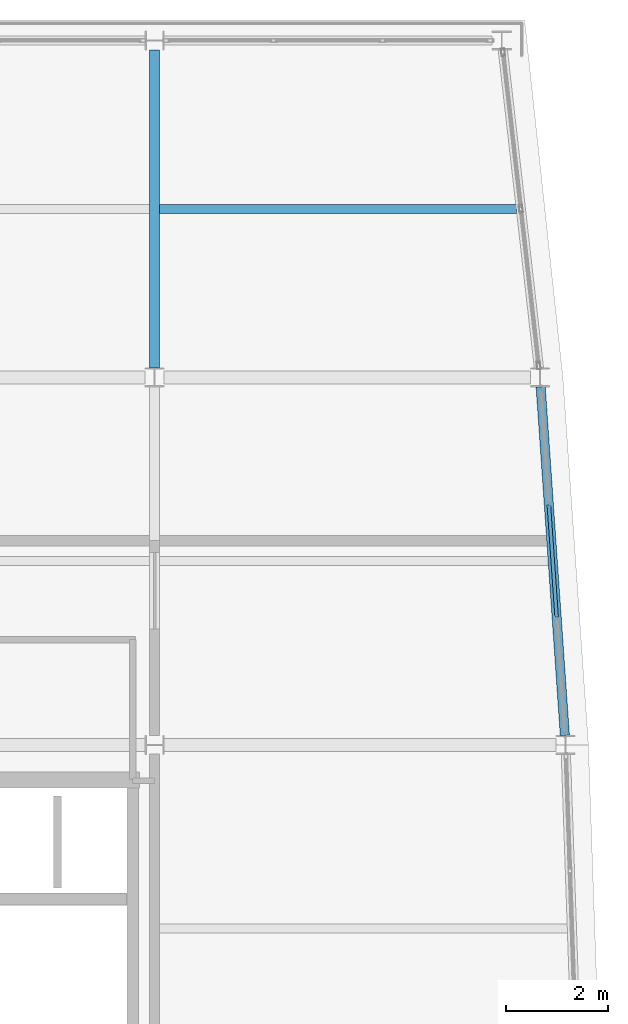
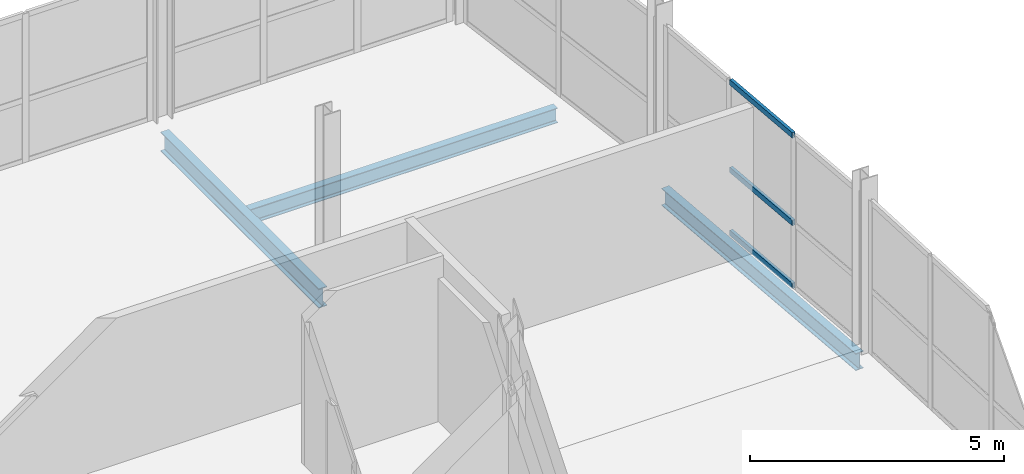
# One storey, part 9 of 20: 3 beams, 3 members, 1 element without a shape of its own.
"""IFC4 building model written with IfcOpenShell, lengths in metres."""

from ifc_helpers import new_model, si_unit, direction, frame, origin, origin_2d, place, context, subcontext, project, spatial, hollow_rectangle, i_section, extrude, material, layer, layer_set, material_profile, profile_set, type_object, element, aggregate, save


model = new_model("IFC4")

# Units and contexts
model_context = context("Model", 3, precision=1e-05, world=origin(), true_north=direction((0.0, 1.0)))
body_context = subcontext(model_context, "Body", "Model", "MODEL_VIEW")
ifc_project = project(units=[si_unit("LENGTHUNIT", "METRE"), si_unit("AREAUNIT", "SQUARE_METRE"), si_unit("VOLUMEUNIT", "CUBIC_METRE"), si_unit("PLANEANGLEUNIT", "RADIAN"), si_unit("MASSUNIT", "GRAM", prefix="KILO")], contexts=[model_context])

# Site, building, storey
site_placement = place(None, origin())
site = spatial("IfcSite", under=ifc_project, at=site_placement, CompositionType="ELEMENT")
building_placement = place(site_placement, origin())
building = spatial("IfcBuilding", under=site, at=building_placement, Name="Quillay Park Conservatory", CompositionType="ELEMENT")
storey_placement = place(building_placement, frame((0.0, 0.0, 30.89990234375)))
storey = spatial("IfcBuildingStorey", under=building, at=storey_placement, Name="L07", CompositionType="ELEMENT", Elevation=30.89990234375)

# Beam
ifc_material_1 = material(Name="Steel ASTM A992 Grade 50", Category="steel")
ifc_material_profile_1 = material_profile(ifc_material_1, i_section(OverallWidth=0.172119140625, OverallDepth=0.35791015625, WebThickness=0.0078125, FlangeThickness=0.01318359375, FilletRadius=0.010986328125, at=origin_2d()), Name="W360x57")
ifc_profile_set_1 = profile_set([ifc_material_profile_1], Name="Steel ASTM A992 Grade 50")
beam_type_1 = type_object("IfcBeamType", Name="COMPOSITE FLOOR JOIST W360 X57", PredefinedType="JOIST", material=ifc_profile_set_1)
beam_1_placement = place(storey_placement, frame((19.845947265625, 110.10009765625, -0.39892578125), z_axis=(1.0, 0.0, 0.0), x_axis=(0.0, 1.0, 0.0)))
element("IfcBeam", 1, at=beam_1_placement, inside=storey, type_object=beam_type_1, Name="L07 beam BM-J-0582", PredefinedType="JOIST", context=body_context, shape_type="SweptSolid", body=[
    extrude(i_section(OverallWidth=0.172119140625, OverallDepth=0.35791015625, WebThickness=0.0078125, FlangeThickness=0.01318359375, FilletRadius=0.010986328125, at=origin_2d()), origin(), (0.0, 0.0, 1.0), 6.989013671875),
])

# Curtain wall, members
ifc_material_2 = material(Name="Thermally Broken Anodised Aluminium 6063-T6", Category="aluminium")
ifc_layer = layer(ifc_material_2, 0.199951171875)
ifc_layer_set = layer_set([ifc_layer], Name="UNITISED CURTAIN WALL HERBARIUM (Thermally Broken Anodised Aluminium 6063-T6)")
curtain_wall_type = type_object("IfcCurtainWallType", Name="UNITISED CURTAIN WALL HERBARIUM", PredefinedType="USERDEFINED", material=ifc_layer_set)
curtain_wall_placement = place(storey_placement, origin())
curtain_wall = element("IfcCurtainWall", 2, at=curtain_wall_placement, inside=storey, type_object=curtain_wall_type, Name="L07 Unitised Curtain Wall 073", ObjectType="UNITISED CURTAIN WALL", PredefinedType="USERDEFINED")
ifc_material_3 = material(Name="Thermally Broken Anodised Aluminium 6063-T6", Category="aluminium")
ifc_material_profile_2 = material_profile(ifc_material_3, hollow_rectangle(XDim=0.070068359375, YDim=0.1298828125, WallThickness=0.003173828125, at=origin_2d()), Name="AL70x130x3.2")
ifc_profile_set_2 = profile_set([ifc_material_profile_2], Name="Thermally Broken Anodised Aluminium 6063-T6")
member_type = type_object("IfcMemberType", Name="CURTAIN WALL TRANSOM 70 X130", PredefinedType="USERDEFINED", material=ifc_profile_set_2)
member_1_placement = place(storey_placement, frame((27.4736328125, 104.298583984375, 0.03515625), z_axis=(0.069277598678, -0.997597420968, 0.0), x_axis=(0.997597420968, 0.069277598678, 0.0)))
member_1 = element("IfcMember", 3, at=member_1_placement, type_object=member_type, Name="CW-T2 transom 2.1", ObjectType="TRANSOM", PredefinedType="USERDEFINED", context=body_context, shape_type="SweptSolid", body=[
    extrude(hollow_rectangle(XDim=0.070068359375, YDim=0.1298828125, WallThickness=0.003173828125, at=origin_2d()), origin(), (0.0, 0.0, 1.0), 2.20263671875),
])
member_2_placement = place(storey_placement, frame((27.4736328125, 104.298583984375, 1.548583984375), z_axis=(0.069277598678, -0.997597420968, 0.0), x_axis=(0.997597420968, 0.069277598678, 0.0)))
member_2 = element("IfcMember", 4, at=member_2_placement, type_object=member_type, Name="CW-T2 transom 2.2", ObjectType="TRANSOM", PredefinedType="USERDEFINED", context=body_context, shape_type="SweptSolid", body=[
    extrude(hollow_rectangle(XDim=0.070068359375, YDim=0.1298828125, WallThickness=0.003173828125, at=origin_2d()), origin(), (0.0, 0.0, 1.0), 2.20263671875),
])
member_3_placement = place(storey_placement, frame((27.4736328125, 104.298583984375, 3.652099609375), z_axis=(0.069277598678, -0.997597420968, 0.0), x_axis=(0.997597420968, 0.069277598678, 0.0)))
member_3 = element("IfcMember", 5, at=member_3_placement, type_object=member_type, Name="CW-T2 transom 2.3", ObjectType="TRANSOM", PredefinedType="USERDEFINED", context=body_context, shape_type="SweptSolid", body=[
    extrude(hollow_rectangle(XDim=0.070068359375, YDim=0.1298828125, WallThickness=0.003173828125, at=origin_2d()), origin(), (0.0, 0.0, 1.0), 2.20263671875),
])
aggregate(curtain_wall, [member_1, member_2, member_3])

# Beams
ifc_material_4 = material(Name="Steel ASTM A992 Grade 50", Category="steel")
ifc_material_profile_3 = material_profile(ifc_material_4, i_section(OverallWidth=0.179931640625, OverallDepth=0.4130859375, WebThickness=0.009765625, FlangeThickness=0.01611328125, FilletRadius=0.011962890625, at=origin_2d()), Name="W410x74")
ifc_profile_set_3 = profile_set([ifc_material_profile_3], Name="Steel ASTM A992 Grade 50")
beam_type_2 = type_object("IfcBeamType", Name="PERIMETER SPANDREL BEAM W410 X74", PredefinedType="SPANDREL", material=ifc_profile_set_3)
beam_2_placement = place(storey_placement, frame((27.787109375, 99.78564453125, -0.426513671875), z_axis=(-0.069262316409, 0.997598482119, 0.0), x_axis=(-0.997598482119, -0.069262316409, 0.0)))
element("IfcBeam", 6, at=beam_2_placement, inside=storey, type_object=beam_type_2, Name="L07 beam BM-SPE-0571", PredefinedType="SPANDREL", context=body_context, shape_type="SweptSolid", body=[
    extrude(i_section(OverallWidth=0.179931640625, OverallDepth=0.4130859375, WebThickness=0.009765625, FlangeThickness=0.01611328125, FilletRadius=0.011962890625, at=origin_2d()), origin(), (0.0, 0.0, 1.0), 6.84521484375),
])
ifc_material_5 = material(Name="Steel ASTM A992 Grade 50", Category="steel")
ifc_material_profile_4 = material_profile(ifc_material_5, i_section(OverallWidth=0.19189453125, OverallDepth=0.462890625, WebThickness=0.010498046875, FlangeThickness=0.017578125, FilletRadius=0.012939453125, at=origin_2d()), Name="W460x89")
ifc_profile_set_4 = profile_set([ifc_material_profile_4], Name="Steel ASTM A992 Grade 50")
beam_type_3 = type_object("IfcBeamType", Name="PRIMARY FLOOR GIRDER W460 X89", PredefinedType="BEAM", material=ifc_profile_set_4)
beam_3_placement = place(storey_placement, frame((19.75, 106.986083984375, -0.451416015625), z_axis=(0.0, 1.0, 0.0), x_axis=(-1.0, 0.0, 0.0)))
element("IfcBeam", 7, at=beam_3_placement, inside=storey, type_object=beam_type_3, Name="L07 beam BM-GNS-0580", PredefinedType="BEAM", context=body_context, shape_type="SweptSolid", body=[
    extrude(i_section(OverallWidth=0.19189453125, OverallDepth=0.462890625, WebThickness=0.010498046875, FlangeThickness=0.017578125, FilletRadius=0.012939453125, at=origin_2d()), origin(), (0.0, 0.0, 1.0), 6.226806640625),
])

save(model, "model.ifc")
